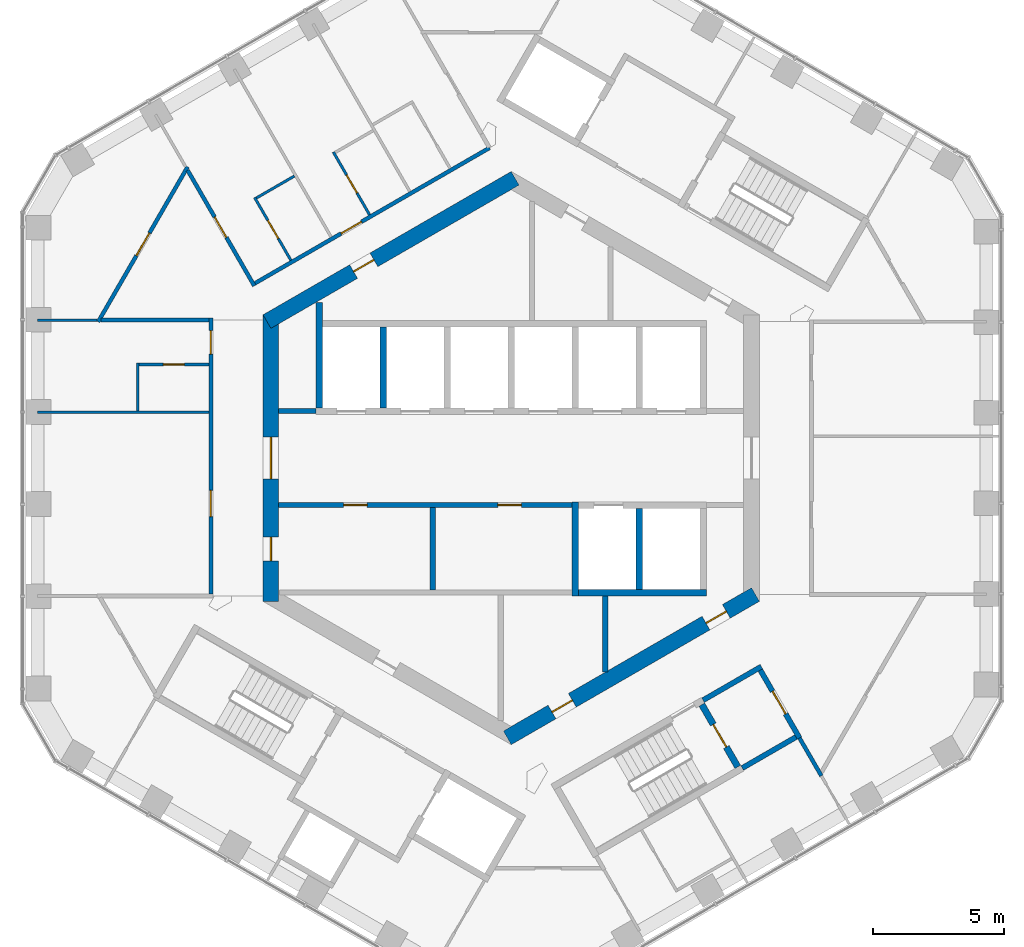
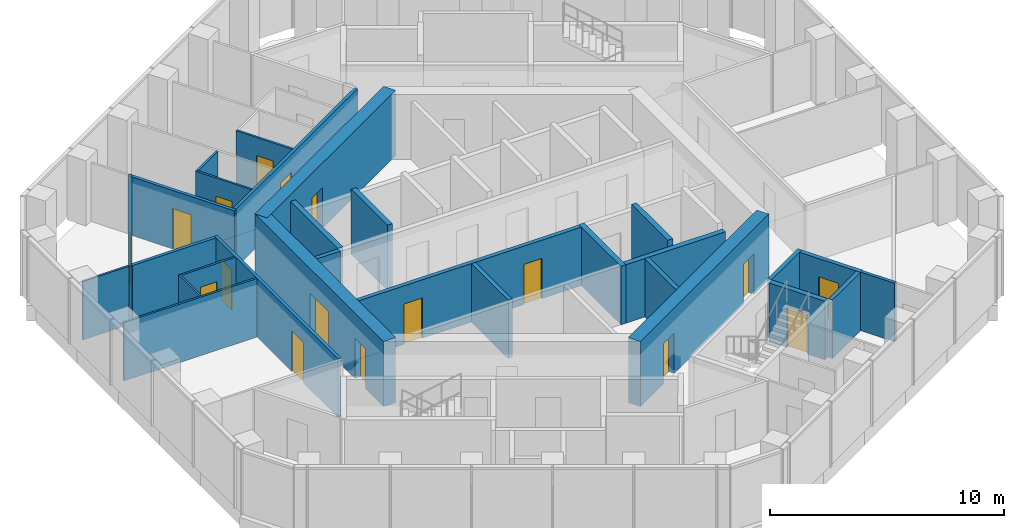
# One storey, part 15 of 19: 29 walls, 17 doors, 17 openings.
"""IFC4 building model written with IfcOpenShell, lengths in metres."""

from ifc_helpers import new_model, si_unit, direction, frame, frame_2d, origin, place, context, subcontext, project, spatial, rectangle, extrude, material, layer, layer_set, type_object, element, fill, save


model = new_model("IFC4")

# Units and contexts
model_context = context("Model", 3, precision=1e-05, world=origin(), true_north=direction((0.0, 1.0)))
body_context = subcontext(model_context, "Body", "Model", "MODEL_VIEW")
ifc_project = project(units=[si_unit("LENGTHUNIT", "METRE"), si_unit("AREAUNIT", "SQUARE_METRE"), si_unit("VOLUMEUNIT", "CUBIC_METRE"), si_unit("PLANEANGLEUNIT", "RADIAN"), si_unit("MASSUNIT", "GRAM", prefix="KILO")], contexts=[model_context])

# Site, building, storey
site_placement = place(None, origin())
site = spatial("IfcSite", under=ifc_project, at=site_placement, CompositionType="ELEMENT")
building_placement = place(site_placement, origin())
building = spatial("IfcBuilding", under=site, at=building_placement, Name="Ayvan Gate Tower", CompositionType="ELEMENT")
storey_placement = place(building_placement, frame((0.0, 0.0, 156.10009765625)))
storey = spatial("IfcBuildingStorey", under=building, at=storey_placement, Name="L41", CompositionType="ELEMENT", Elevation=156.10009765625)

# Wall, opening, door
ifc_material_1 = material(Name="Concrete C60/75", Category="concrete")
ifc_layer_1 = layer(ifc_material_1, 0.60009765625)
ifc_layer_set_1 = layer_set([ifc_layer_1], Name="Concrete C60/75")
wall_type_1 = type_object("IfcWallType", Name="Core wall 600 C60/75", PredefinedType="SHEAR", material=ifc_layer_set_1)
wall_1_placement = place(storey_placement, frame((0.14990234375, 10.7099609375, 0.0), z_axis=(0.0, 0.0, 1.0), x_axis=(-0.866023993627, -0.500002442456, 0.0)))
wall_1 = element("IfcWall", 1, at=wall_1_placement, inside=storey, type_object=wall_type_1, Name="CORE-L41-2", PredefinedType="SHEAR", context=body_context, shape_type="SweptSolid", body=[
    extrude(rectangle(XDim=10.9697265625, YDim=0.60009765625, at=frame_2d((5.48486328125, 0.0))), origin(), (0.0, 0.0, 1.0), 3.39990234375),
])
opening_1_placement = place(wall_1_placement, frame((6.24267578125, 0.0, 0.0)))
opening_1 = element("IfcOpeningElement", 2, at=opening_1_placement, cuts=wall_1, Name="Opening L41-D45", PredefinedType="OPENING", context=body_context, shape_type="SweptSolid", body=[
    extrude(rectangle(XDim=0.89990234375, YDim=2.10009765625, at=frame_2d((0.449951171875, 1.050048828125))), frame((0.0, 0.31005859375, 0.0), z_axis=(0.0, -1.0, 0.0), x_axis=(1.0, 0.0, 0.0)), (0.0, 0.0, 1.0), 0.6201171875),
])
ifc_material_2 = material(Name="Timber door leaf", Category="wood")
door_type_1 = type_object("IfcDoorType", Name="DT-900", OperationType="NOTDEFINED", PredefinedType="DOOR", material=ifc_material_2)
door_1_placement = place(opening_1_placement, origin())
door_1 = element("IfcDoor", 3, at=door_1_placement, inside=storey, type_object=door_type_1, Name="CD-L41-45", OperationType="SINGLE_SWING_RIGHT", OverallHeight=2.10009765625, OverallWidth=0.89990234375, PredefinedType="DOOR", context=body_context, shape_type="SweptSolid", body=[
    extrude(rectangle(XDim=0.89990234375, YDim=2.10009765625, at=frame_2d((0.449951171875, 1.050048828125))), frame((0.0, 0.02490234375, 0.0), z_axis=(0.0, -1.0, 0.0), x_axis=(1.0, 0.0, 0.0)), (0.0, 0.0, 1.0), 0.050048828125),
])
fill(opening_1, door_1)

# Wall, openings, doors
wall_2_placement = place(storey_placement, frame((-9.199951171875, 5.48486328125, 0.0), z_axis=(0.0, 0.0, 1.0), x_axis=(0.0, -1.0, 0.0)))
wall_2 = element("IfcWall", 4, at=wall_2_placement, inside=storey, type_object=wall_type_1, Name="CORE-L41-3", PredefinedType="SHEAR", context=body_context, shape_type="SweptSolid", body=[
    extrude(rectangle(XDim=10.9697265625, YDim=0.60009765625, at=frame_2d((5.48486328125, 0.0))), origin(), (0.0, 0.0, 1.0), 3.39990234375),
])
opening_2_placement = place(wall_2_placement, frame((8.51611328125, 0.0, 0.0)))
opening_2 = element("IfcOpeningElement", 5, at=opening_2_placement, cuts=wall_2, Name="Opening L41-D51", PredefinedType="OPENING", context=body_context, shape_type="SweptSolid", body=[
    extrude(rectangle(XDim=0.89990234375, YDim=2.10009765625, at=frame_2d((0.449951171875, 1.050048828125))), frame((0.0, 0.31005859375, 0.0), z_axis=(0.0, -1.0, 0.0), x_axis=(1.0, 0.0, 0.0)), (0.0, 0.0, 1.0), 0.6201171875),
])
opening_3_placement = place(wall_2_placement, frame((4.684814453125, 0.0, 0.0)))
opening_3 = element("IfcOpeningElement", 6, at=opening_3_placement, cuts=wall_2, Name="Opening L41-D53", PredefinedType="OPENING", context=body_context, shape_type="SweptSolid", body=[
    extrude(rectangle(XDim=1.60009765625, YDim=2.10009765625, at=frame_2d((0.800048828125, 1.050048828125))), frame((0.0, 0.31005859375, 0.0), z_axis=(0.0, -1.0, 0.0), x_axis=(1.0, 0.0, 0.0)), (0.0, 0.0, 1.0), 0.6201171875),
])
door_type_2 = type_object("IfcDoorType", Name="DT-1600", OperationType="NOTDEFINED", PredefinedType="DOOR", material=ifc_material_2)
door_2_placement = place(opening_3_placement, origin())
door_2 = element("IfcDoor", 7, at=door_2_placement, inside=storey, type_object=door_type_2, Name="CD-L41-53", OperationType="SINGLE_SWING_RIGHT", OverallHeight=2.10009765625, OverallWidth=1.60009765625, PredefinedType="DOOR", context=body_context, shape_type="SweptSolid", body=[
    extrude(rectangle(XDim=1.60009765625, YDim=2.10009765625, at=frame_2d((0.800048828125, 1.050048828125))), frame((0.0, 0.02490234375, 0.0), z_axis=(0.0, -1.0, 0.0), x_axis=(1.0, 0.0, 0.0)), (0.0, 0.0, 1.0), 0.050048828125),
])
fill(opening_3, door_2)
door_3_placement = place(opening_2_placement, origin())
door_3 = element("IfcDoor", 8, at=door_3_placement, inside=storey, type_object=door_type_1, Name="CD-L41-51", OperationType="SINGLE_SWING_RIGHT", OverallHeight=2.10009765625, OverallWidth=0.89990234375, PredefinedType="DOOR", context=body_context, shape_type="SweptSolid", body=[
    extrude(rectangle(XDim=0.89990234375, YDim=2.10009765625, at=frame_2d((0.449951171875, 1.050048828125))), frame((0.0, 0.02490234375, 0.0), z_axis=(0.0, -1.0, 0.0), x_axis=(1.0, 0.0, 0.0)), (0.0, 0.0, 1.0), 0.050048828125),
])
fill(opening_2, door_3)

wall_3_placement = place(storey_placement, frame((-0.14990234375, -10.7099609375, 0.0), z_axis=(0.0, 0.0, 1.0), x_axis=(0.866023993627, 0.500002442456, 0.0)))
wall_3 = element("IfcWall", 9, at=wall_3_placement, inside=storey, type_object=wall_type_1, Name="CORE-L41-5", PredefinedType="SHEAR", context=body_context, shape_type="SweptSolid", body=[
    extrude(rectangle(XDim=10.9697265625, YDim=0.60009765625, at=frame_2d((5.48486328125, 0.0))), origin(), (0.0, 0.0, 1.0), 3.39990234375),
])
opening_4_placement = place(wall_3_placement, frame((1.975341796875, 0.0, 0.0)))
opening_4 = element("IfcOpeningElement", 10, at=opening_4_placement, cuts=wall_3, Name="Opening L41-D49", PredefinedType="OPENING", context=body_context, shape_type="SweptSolid", body=[
    extrude(rectangle(XDim=0.89990234375, YDim=2.10009765625, at=frame_2d((0.449951171875, 1.050048828125))), frame((0.0, 0.31005859375, 0.0), z_axis=(0.0, -1.0, 0.0), x_axis=(1.0, 0.0, 0.0)), (0.0, 0.0, 1.0), 0.6201171875),
])
opening_5_placement = place(wall_3_placement, frame((8.782470703125, 0.0, 0.0)))
opening_5 = element("IfcOpeningElement", 11, at=opening_5_placement, cuts=wall_3, Name="Opening L41-D50", PredefinedType="OPENING", context=body_context, shape_type="SweptSolid", body=[
    extrude(rectangle(XDim=0.89990234375, YDim=2.10009765625, at=frame_2d((0.449951171875, 1.050048828125))), frame((0.0, 0.31005859375, 0.0), z_axis=(0.0, -1.0, 0.0), x_axis=(1.0, 0.0, 0.0)), (0.0, 0.0, 1.0), 0.6201171875),
])
door_4_placement = place(opening_4_placement, origin())
door_4 = element("IfcDoor", 12, at=door_4_placement, inside=storey, type_object=door_type_1, Name="CD-L41-49", OperationType="SINGLE_SWING_RIGHT", OverallHeight=2.10009765625, OverallWidth=0.89990234375, PredefinedType="DOOR", context=body_context, shape_type="SweptSolid", body=[
    extrude(rectangle(XDim=0.89990234375, YDim=2.10009765625, at=frame_2d((0.449951171875, 1.050048828125))), frame((0.0, 0.02490234375, 0.0), z_axis=(0.0, -1.0, 0.0), x_axis=(1.0, 0.0, 0.0)), (0.0, 0.0, 1.0), 0.050048828125),
])
fill(opening_4, door_4)
door_5_placement = place(opening_5_placement, origin())
door_5 = element("IfcDoor", 13, at=door_5_placement, inside=storey, type_object=door_type_1, Name="CD-L41-50", OperationType="SINGLE_SWING_LEFT", OverallHeight=2.10009765625, OverallWidth=0.89990234375, PredefinedType="DOOR", context=body_context, shape_type="SweptSolid", body=[
    extrude(rectangle(XDim=0.89990234375, YDim=2.10009765625, at=frame_2d((0.449951171875, 1.050048828125))), frame((0.0, 0.02490234375, 0.0), z_axis=(0.0, -1.0, 0.0), x_axis=(1.0, 0.0, 0.0)), (0.0, 0.0, 1.0), 0.050048828125),
])
fill(opening_5, door_5)

# Wall, opening, door
ifc_material_3 = material(Name="Plasterboard on steel stud", Category="steel")
ifc_layer_2 = layer(ifc_material_3, 0.14990234375)
ifc_layer_set_2 = layer_set([ifc_layer_2], Name="Plasterboard on steel stud")
wall_type_2 = type_object("IfcWallType", Name="WT-CORR-150", PredefinedType="PARTITIONING", material=ifc_layer_set_2)
wall_4_placement = place(storey_placement, frame((-15.811767578125, 5.21630859375, 0.0), z_axis=(0.0, 0.0, 1.0), x_axis=(0.50000019414, 0.866025291697, 0.0)))
wall_4 = element("IfcWall", 14, at=wall_4_placement, inside=storey, type_object=wall_type_2, Name="IW-L41-002", PredefinedType="PARTITIONING", context=body_context, shape_type="SweptSolid", body=[
    extrude(rectangle(XDim=6.84814453125, YDim=0.14990234375, at=frame_2d((3.424072265625, 0.0))), origin(), (0.0, 0.0, 1.0), 3.0498046875),
])
opening_6_placement = place(wall_4_placement, frame((2.924072265625, 0.0, 0.0)))
opening_6 = element("IfcOpeningElement", 15, at=opening_6_placement, cuts=wall_4, Name="Opening L41-D27", PredefinedType="OPENING", context=body_context, shape_type="SweptSolid", body=[
    extrude(rectangle(XDim=1.0, YDim=2.10009765625, at=frame_2d((0.5, 1.050048828125))), frame((0.0, 0.0849609375, 0.0), z_axis=(0.0, -1.0, 0.0), x_axis=(1.0, 0.0, 0.0)), (0.0, 0.0, 1.0), 0.169921875),
])
door_type_3 = type_object("IfcDoorType", Name="DT-1000", OperationType="NOTDEFINED", PredefinedType="DOOR", material=ifc_material_2)
door_6_placement = place(opening_6_placement, origin())
door_6 = element("IfcDoor", 16, at=door_6_placement, inside=storey, type_object=door_type_3, Name="ID-L41-027", OperationType="SINGLE_SWING_RIGHT", OverallHeight=2.10009765625, OverallWidth=1.0, PredefinedType="DOOR", context=body_context, shape_type="SweptSolid", body=[
    extrude(rectangle(XDim=1.0, YDim=2.10009765625, at=frame_2d((0.5, 1.050048828125))), frame((0.0, 0.02490234375, 0.0), z_axis=(0.0, -1.0, 0.0), x_axis=(1.0, 0.0, 0.0)), (0.0, 0.0, 1.0), 0.050048828125),
])
fill(opening_6, door_6)

wall_5_placement = place(storey_placement, frame((-12.3876953125, 11.01708984375, 0.0), z_axis=(0.0, 0.0, 1.0), x_axis=(0.499962338254, -0.866047146712, 0.0)))
wall_5 = element("IfcWall", 17, at=wall_5_placement, inside=storey, type_object=wall_type_2, Name="IW-L41-010", PredefinedType="PARTITIONING", context=body_context, shape_type="SweptSolid", body=[
    extrude(rectangle(XDim=5.10986328125, YDim=0.14990234375, at=frame_2d((2.554931640625, 0.0))), origin(), (0.0, 0.0, 1.0), 3.0498046875),
])
opening_7_placement = place(wall_5_placement, frame((2.0673828125, 0.0, 0.0)))
opening_7 = element("IfcOpeningElement", 18, at=opening_7_placement, cuts=wall_5, Name="Opening L41-D43", PredefinedType="OPENING", context=body_context, shape_type="SweptSolid", body=[
    extrude(rectangle(XDim=0.89990234375, YDim=2.10009765625, at=frame_2d((0.449951171875, 1.050048828125))), frame((0.0, 0.0849609375, 0.0), z_axis=(0.0, -1.0, 0.0), x_axis=(1.0, 0.0, 0.0)), (0.0, 0.0, 1.0), 0.169921875),
])
door_7_placement = place(opening_7_placement, origin())
door_7 = element("IfcDoor", 19, at=door_7_placement, inside=storey, type_object=door_type_1, Name="ID-L41-043", OperationType="SINGLE_SWING_RIGHT", OverallHeight=2.10009765625, OverallWidth=0.89990234375, PredefinedType="DOOR", context=body_context, shape_type="SweptSolid", body=[
    extrude(rectangle(XDim=0.89990234375, YDim=2.10009765625, at=frame_2d((0.449951171875, 1.050048828125))), frame((0.0, 0.02490234375, 0.0), z_axis=(0.0, -1.0, 0.0), x_axis=(1.0, 0.0, 0.0)), (0.0, 0.0, 1.0), 0.050048828125),
])
fill(opening_7, door_7)

# Wall, openings, doors
wall_6_placement = place(storey_placement, frame((-11.5, -5.206298828125, 0.0), z_axis=(0.0, 0.0, 1.0), x_axis=(0.0, 1.0, 0.0)))
wall_6 = element("IfcWall", 20, at=wall_6_placement, inside=storey, type_object=wall_type_2, Name="IW-L41-012", PredefinedType="PARTITIONING", context=body_context, shape_type="SweptSolid", body=[
    extrude(rectangle(XDim=10.5625, YDim=0.14990234375, at=frame_2d((5.28125, 0.0))), origin(), (0.0, 0.0, 1.0), 3.0498046875),
])
opening_8_placement = place(wall_6_placement, frame((9.187744140625, 0.0, 0.0)))
opening_8 = element("IfcOpeningElement", 21, at=opening_8_placement, cuts=wall_6, Name="Opening L41-D28", PredefinedType="OPENING", context=body_context, shape_type="SweptSolid", body=[
    extrude(rectangle(XDim=0.89990234375, YDim=2.10009765625, at=frame_2d((0.449951171875, 1.050048828125))), frame((0.0, 0.0849609375, 0.0), z_axis=(0.0, -1.0, 0.0), x_axis=(1.0, 0.0, 0.0)), (0.0, 0.0, 1.0), 0.169921875),
])
opening_9_placement = place(wall_6_placement, frame((2.968505859375, 0.0, 0.0)))
opening_9 = element("IfcOpeningElement", 22, at=opening_9_placement, cuts=wall_6, Name="Opening L41-D30", PredefinedType="OPENING", context=body_context, shape_type="SweptSolid", body=[
    extrude(rectangle(XDim=1.0, YDim=2.10009765625, at=frame_2d((0.5, 1.050048828125))), frame((0.0, 0.0849609375, 0.0), z_axis=(0.0, -1.0, 0.0), x_axis=(1.0, 0.0, 0.0)), (0.0, 0.0, 1.0), 0.169921875),
])
door_8_placement = place(opening_9_placement, origin())
door_8 = element("IfcDoor", 23, at=door_8_placement, inside=storey, type_object=door_type_3, Name="ID-L41-030", OperationType="SINGLE_SWING_LEFT", OverallHeight=2.10009765625, OverallWidth=1.0, PredefinedType="DOOR", context=body_context, shape_type="SweptSolid", body=[
    extrude(rectangle(XDim=1.0, YDim=2.10009765625, at=frame_2d((0.5, 1.050048828125))), frame((0.0, 0.02490234375, 0.0), z_axis=(0.0, -1.0, 0.0), x_axis=(1.0, 0.0, 0.0)), (0.0, 0.0, 1.0), 0.050048828125),
])
fill(opening_9, door_8)
door_9_placement = place(opening_8_placement, origin())
door_9 = element("IfcDoor", 24, at=door_9_placement, inside=storey, type_object=door_type_1, Name="ID-L41-028", OperationType="SINGLE_SWING_LEFT", OverallHeight=2.10009765625, OverallWidth=0.89990234375, PredefinedType="DOOR", context=body_context, shape_type="SweptSolid", body=[
    extrude(rectangle(XDim=0.89990234375, YDim=2.10009765625, at=frame_2d((0.449951171875, 1.050048828125))), frame((0.0, 0.02490234375, 0.0), z_axis=(0.0, -1.0, 0.0), x_axis=(1.0, 0.0, 0.0)), (0.0, 0.0, 1.0), 0.050048828125),
])
fill(opening_8, door_9)

# Wall
wall_7_placement = place(storey_placement, frame((-11.574951171875, 5.28125, 0.0), z_axis=(0.0, 0.0, 1.0), x_axis=(-1.0, 0.0, 0.0)))
element("IfcWall", 25, at=wall_7_placement, inside=storey, type_object=wall_type_2, Name="IW-L41-014", PredefinedType="PARTITIONING", context=body_context, shape_type="SweptSolid", body=[
    extrude(rectangle(XDim=4.124267578125, YDim=0.14990234375, at=frame_2d((2.06201171875, 0.0))), origin(), (0.0, 0.0, 1.0), 3.0498046875),
])

# Wall, opening, door
wall_8_placement = place(storey_placement, frame((-9.805419921875, 6.694091796875, 0.0), z_axis=(0.0, 0.0, 1.0), x_axis=(0.866028286753, 0.499995006518, 0.0)))
wall_8 = element("IfcWall", 26, at=wall_8_placement, inside=storey, type_object=wall_type_2, Name="IW-L41-015", PredefinedType="PARTITIONING", context=body_context, shape_type="SweptSolid", body=[
    extrude(rectangle(XDim=10.3642578125, YDim=0.14990234375, at=frame_2d((5.18212890625, 0.0))), origin(), (0.0, 0.0, 1.0), 3.0498046875),
])
opening_10_placement = place(wall_8_placement, frame((3.8046875, 0.0, 0.0)))
opening_10 = element("IfcOpeningElement", 27, at=opening_10_placement, cuts=wall_8, Name="Opening L41-D41", PredefinedType="OPENING", context=body_context, shape_type="SweptSolid", body=[
    extrude(rectangle(XDim=0.89990234375, YDim=2.10009765625, at=frame_2d((0.449951171875, 1.050048828125))), frame((0.0, 0.0849609375, 0.0), z_axis=(0.0, -1.0, 0.0), x_axis=(1.0, 0.0, 0.0)), (0.0, 0.0, 1.0), 0.169921875),
])
door_10_placement = place(opening_10_placement, origin())
door_10 = element("IfcDoor", 28, at=door_10_placement, inside=storey, type_object=door_type_1, Name="ID-L41-041", OperationType="SINGLE_SWING_RIGHT", OverallHeight=2.10009765625, OverallWidth=0.89990234375, PredefinedType="DOOR", context=body_context, shape_type="SweptSolid", body=[
    extrude(rectangle(XDim=0.89990234375, YDim=2.10009765625, at=frame_2d((0.449951171875, 1.050048828125))), frame((0.0, 0.02490234375, 0.0), z_axis=(0.0, -1.0, 0.0), x_axis=(1.0, 0.0, 0.0)), (0.0, 0.0, 1.0), 0.050048828125),
])
fill(opening_10, door_10)

# Walls
wall_9_placement = place(storey_placement, frame((11.8740234375, -12.16650390625, 0.0), z_axis=(0.0, 0.0, 1.0), x_axis=(-0.499920289095, 0.866071420006, 0.0)))
element("IfcWall", 29, at=wall_9_placement, inside=storey, type_object=wall_type_2, Name="IW-L41-096", PredefinedType="PARTITIONING", context=body_context, shape_type="SweptSolid", body=[
    extrude(rectangle(XDim=1.673583984375, YDim=0.14990234375, at=frame_2d((0.8369140625, 0.0))), origin(), (0.0, 0.0, 1.0), 3.0498046875),
])
ifc_layer_3 = layer(ifc_material_3, 0.10009765625)
ifc_layer_set_3 = layer_set([ifc_layer_3], Name="Plasterboard on steel stud")
wall_type_3 = type_object("IfcWallType", Name="WT-PART-100", PredefinedType="PARTITIONING", material=ifc_layer_set_3)
wall_10_placement = place(storey_placement, frame((-15.849365234375, 5.28125, 0.0), z_axis=(0.0, 0.0, 1.0), x_axis=(-1.0, 0.0, 0.0)))
element("IfcWall", 30, at=wall_10_placement, inside=storey, type_object=wall_type_3, Name="IW-L41-001", PredefinedType="PARTITIONING", context=body_context, shape_type="SweptSolid", body=[
    extrude(rectangle(XDim=2.27783203125, YDim=0.10009765625, at=frame_2d((1.138916015625, 0.0))), origin(), (0.0, 0.0, 1.0), 3.0498046875),
])
wall_11_placement = place(storey_placement, frame((-18.127197265625, 1.760498046875, 0.0), z_axis=(0.0, 0.0, 1.0), x_axis=(1.0, 0.0, 0.0)))
element("IfcWall", 31, at=wall_11_placement, inside=storey, type_object=wall_type_3, Name="IW-L41-004", PredefinedType="PARTITIONING", context=body_context, shape_type="SweptSolid", body=[
    extrude(rectangle(XDim=6.55224609375, YDim=0.10009765625, at=frame_2d((3.276123046875, 0.0))), origin(), (0.0, 0.0, 1.0), 3.0498046875),
])
wall_12_placement = place(storey_placement, frame((-14.300048828125, 3.63134765625, 0.0), z_axis=(0.0, 0.0, 1.0), x_axis=(0.0, -1.0, 0.0)))
element("IfcWall", 32, at=wall_12_placement, inside=storey, type_object=wall_type_3, Name="IW-L41-005", PredefinedType="PARTITIONING", context=body_context, shape_type="SweptSolid", body=[
    extrude(rectangle(XDim=1.821044921875, YDim=0.10009765625, at=frame_2d((0.91064453125, 0.0))), origin(), (0.0, 0.0, 1.0), 3.0498046875),
])

# Wall, opening, door
wall_13_placement = place(storey_placement, frame((-11.574951171875, 3.581298828125, 0.0), z_axis=(0.0, 0.0, 1.0), x_axis=(-1.0, 0.0, 0.0)))
wall_13 = element("IfcWall", 33, at=wall_13_placement, inside=storey, type_object=wall_type_3, Name="IW-L41-013", PredefinedType="PARTITIONING", context=body_context, shape_type="SweptSolid", body=[
    extrude(rectangle(XDim=2.675048828125, YDim=0.10009765625, at=frame_2d((1.33740234375, 0.0))), origin(), (0.0, 0.0, 1.0), 3.0498046875),
])
opening_11_placement = place(wall_13_placement, frame((0.9375, 0.0, 0.0)))
opening_11 = element("IfcOpeningElement", 34, at=opening_11_placement, cuts=wall_13, Name="Opening L41-D29", PredefinedType="OPENING", context=body_context, shape_type="SweptSolid", body=[
    extrude(rectangle(XDim=0.800048828125, YDim=2.10009765625, at=frame_2d((0.39990234375, 1.050048828125))), frame((0.0, 0.06005859375, 0.0), z_axis=(0.0, -1.0, 0.0), x_axis=(1.0, 0.0, 0.0)), (0.0, 0.0, 1.0), 0.1201171875),
])
door_type_4 = type_object("IfcDoorType", Name="DT-800", OperationType="NOTDEFINED", PredefinedType="DOOR", material=ifc_material_2)
door_11_placement = place(opening_11_placement, origin())
door_11 = element("IfcDoor", 35, at=door_11_placement, inside=storey, type_object=door_type_4, Name="ID-L41-029", OperationType="SINGLE_SWING_RIGHT", OverallHeight=2.10009765625, OverallWidth=0.800048828125, PredefinedType="DOOR", context=body_context, shape_type="SweptSolid", body=[
    extrude(rectangle(XDim=0.800048828125, YDim=2.10009765625, at=frame_2d((0.39990234375, 1.050048828125))), frame((0.0, 0.02490234375, 0.0), z_axis=(0.0, -1.0, 0.0), x_axis=(1.0, 0.0, 0.0)), (0.0, 0.0, 1.0), 0.050048828125),
])
fill(opening_11, door_11)

wall_14_placement = place(storey_placement, frame((-9.822998046875, 9.974853515625, 0.0), z_axis=(0.0, 0.0, 1.0), x_axis=(0.499971228071, -0.866042014628, 0.0)))
wall_14 = element("IfcWall", 36, at=wall_14_placement, inside=storey, type_object=wall_type_3, Name="IW-L41-016", PredefinedType="PARTITIONING", context=body_context, shape_type="SweptSolid", body=[
    extrude(rectangle(XDim=2.775146484375, YDim=0.10009765625, at=frame_2d((1.3876953125, 0.0))), origin(), (0.0, 0.0, 1.0), 3.0498046875),
])
opening_12_placement = place(wall_14_placement, frame((1.012451171875, 0.0, 0.0)))
opening_12 = element("IfcOpeningElement", 37, at=opening_12_placement, cuts=wall_14, Name="Opening L41-D44", PredefinedType="OPENING", context=body_context, shape_type="SweptSolid", body=[
    extrude(rectangle(XDim=0.800048828125, YDim=2.10009765625, at=frame_2d((0.39990234375, 1.050048828125))), frame((0.0, 0.06005859375, 0.0), z_axis=(0.0, -1.0, 0.0), x_axis=(1.0, 0.0, 0.0)), (0.0, 0.0, 1.0), 0.1201171875),
])
door_12_placement = place(opening_12_placement, origin())
door_12 = element("IfcDoor", 38, at=door_12_placement, inside=storey, type_object=door_type_4, Name="ID-L41-044", OperationType="SINGLE_SWING_LEFT", OverallHeight=2.10009765625, OverallWidth=0.800048828125, PredefinedType="DOOR", context=body_context, shape_type="SweptSolid", body=[
    extrude(rectangle(XDim=0.800048828125, YDim=2.10009765625, at=frame_2d((0.39990234375, 1.050048828125))), frame((0.0, 0.02490234375, 0.0), z_axis=(0.0, -1.0, 0.0), x_axis=(1.0, 0.0, 0.0)), (0.0, 0.0, 1.0), 0.050048828125),
])
fill(opening_12, door_12)

# Wall
wall_15_placement = place(storey_placement, frame((-8.300048828125, 10.79638671875, 0.0), z_axis=(0.0, 0.0, 1.0), x_axis=(-0.866052479261, -0.499953100966, 0.0)))
element("IfcWall", 39, at=wall_15_placement, inside=storey, type_object=wall_type_3, Name="IW-L41-021", PredefinedType="PARTITIONING", context=body_context, shape_type="SweptSolid", body=[
    extrude(rectangle(XDim=1.679931640625, YDim=0.10009765625, at=frame_2d((0.83984375, 0.0))), origin(), (0.0, 0.0, 1.0), 3.0498046875),
])

# Wall, opening, door
wall_16_placement = place(storey_placement, frame((-6.8095703125, 11.714599609375, 0.0), z_axis=(0.0, 0.0, 1.0), x_axis=(0.50000932403, -0.866020020486, 0.0)))
wall_16 = element("IfcWall", 40, at=wall_16_placement, inside=storey, type_object=wall_type_3, Name="IW-L41-030", PredefinedType="PARTITIONING", context=body_context, shape_type="SweptSolid", body=[
    extrude(rectangle(XDim=2.77490234375, YDim=0.10009765625, at=frame_2d((1.387451171875, 0.0))), origin(), (0.0, 0.0, 1.0), 3.0498046875),
])
opening_13_placement = place(wall_16_placement, frame((1.012451171875, 0.0, 0.0)))
opening_13 = element("IfcOpeningElement", 41, at=opening_13_placement, cuts=wall_16, Name="Opening L41-D42", PredefinedType="OPENING", context=body_context, shape_type="SweptSolid", body=[
    extrude(rectangle(XDim=0.800048828125, YDim=2.10009765625, at=frame_2d((0.39990234375, 1.050048828125))), frame((0.0, 0.06005859375, 0.0), z_axis=(0.0, -1.0, 0.0), x_axis=(1.0, 0.0, 0.0)), (0.0, 0.0, 1.0), 0.1201171875),
])
door_13_placement = place(opening_13_placement, origin())
door_13 = element("IfcDoor", 42, at=door_13_placement, inside=storey, type_object=door_type_4, Name="ID-L41-042", OperationType="SINGLE_SWING_LEFT", OverallHeight=2.10009765625, OverallWidth=0.800048828125, PredefinedType="DOOR", context=body_context, shape_type="SweptSolid", body=[
    extrude(rectangle(XDim=0.800048828125, YDim=2.10009765625, at=frame_2d((0.39990234375, 1.050048828125))), frame((0.0, 0.02490234375, 0.0), z_axis=(0.0, -1.0, 0.0), x_axis=(1.0, 0.0, 0.0)), (0.0, 0.0, 1.0), 0.050048828125),
])
fill(opening_13, door_13)

# Walls
ifc_layer_4 = layer(ifc_material_3, 0.199951171875)
ifc_layer_set_4 = layer_set([ifc_layer_4], Name="Plasterboard on steel stud")
wall_type_4 = type_object("IfcWallType", Name="WT-RATED-200", PredefinedType="PARTITIONING", material=ifc_layer_set_4)
wall_17_placement = place(storey_placement, frame((-8.89990234375, 1.800048828125, 0.0), z_axis=(0.0, 0.0, 1.0), x_axis=(1.0, 0.0, 0.0)))
element("IfcWall", 43, at=wall_17_placement, inside=storey, type_object=wall_type_4, Name="IW-L41-017", PredefinedType="PARTITIONING", context=body_context, shape_type="SweptSolid", body=[
    extrude(rectangle(XDim=1.425048828125, YDim=0.199951171875, at=frame_2d((0.71240234375, 0.0))), origin(), (0.0, 0.0, 1.0), 3.0498046875),
])
wall_18_placement = place(storey_placement, frame((-3.0, -1.89990234375, 0.0), z_axis=(0.0, 0.0, 1.0), x_axis=(0.0, -1.0, 0.0)))
element("IfcWall", 44, at=wall_18_placement, inside=storey, type_object=wall_type_4, Name="IW-L41-041", PredefinedType="PARTITIONING", context=body_context, shape_type="SweptSolid", body=[
    extrude(rectangle(XDim=3.150146484375, YDim=0.199951171875, at=frame_2d((1.5751953125, 0.0))), origin(), (0.0, 0.0, 1.0), 3.0498046875),
])

# Wall, openings, doors
wall_19_placement = place(storey_placement, frame((-8.89990234375, -1.800048828125, 0.0), z_axis=(0.0, 0.0, 1.0), x_axis=(1.0, 0.0, 0.0)))
wall_19 = element("IfcWall", 45, at=wall_19_placement, inside=storey, type_object=wall_type_4, Name="IW-L41-042", PredefinedType="PARTITIONING", context=body_context, shape_type="SweptSolid", body=[
    extrude(rectangle(XDim=11.22509765625, YDim=0.199951171875, at=frame_2d((5.612548828125, 0.0))), origin(), (0.0, 0.0, 1.0), 3.0498046875),
])
opening_14_placement = place(wall_19_placement, frame((2.485107421875, 0.0, 0.0)))
opening_14 = element("IfcOpeningElement", 46, at=opening_14_placement, cuts=wall_19, Name="Opening L41-D08", PredefinedType="OPENING", context=body_context, shape_type="SweptSolid", body=[
    extrude(rectangle(XDim=0.89990234375, YDim=2.10009765625, at=frame_2d((0.449951171875, 1.050048828125))), frame((0.0, 0.10986328125, 0.0), z_axis=(0.0, -1.0, 0.0), x_axis=(1.0, 0.0, 0.0)), (0.0, 0.0, 1.0), 0.219970703125),
])
opening_15_placement = place(wall_19_placement, frame((8.387451171875, 0.0, 0.0)))
opening_15 = element("IfcOpeningElement", 47, at=opening_15_placement, cuts=wall_19, Name="Opening L41-D09", PredefinedType="OPENING", context=body_context, shape_type="SweptSolid", body=[
    extrude(rectangle(XDim=0.89990234375, YDim=2.10009765625, at=frame_2d((0.449951171875, 1.050048828125))), frame((0.0, 0.10986328125, 0.0), z_axis=(0.0, -1.0, 0.0), x_axis=(1.0, 0.0, 0.0)), (0.0, 0.0, 1.0), 0.219970703125),
])
door_14_placement = place(opening_14_placement, origin())
door_14 = element("IfcDoor", 48, at=door_14_placement, inside=storey, type_object=door_type_1, Name="ID-L41-008", OperationType="SINGLE_SWING_LEFT", OverallHeight=2.10009765625, OverallWidth=0.89990234375, PredefinedType="DOOR", context=body_context, shape_type="SweptSolid", body=[
    extrude(rectangle(XDim=0.89990234375, YDim=2.10009765625, at=frame_2d((0.449951171875, 1.050048828125))), frame((0.0, 0.02490234375, 0.0), z_axis=(0.0, -1.0, 0.0), x_axis=(1.0, 0.0, 0.0)), (0.0, 0.0, 1.0), 0.050048828125),
])
fill(opening_14, door_14)
door_15_placement = place(opening_15_placement, origin())
door_15 = element("IfcDoor", 49, at=door_15_placement, inside=storey, type_object=door_type_1, Name="ID-L41-009", OperationType="SINGLE_SWING_RIGHT", OverallHeight=2.10009765625, OverallWidth=0.89990234375, PredefinedType="DOOR", context=body_context, shape_type="SweptSolid", body=[
    extrude(rectangle(XDim=0.89990234375, YDim=2.10009765625, at=frame_2d((0.449951171875, 1.050048828125))), frame((0.0, 0.02490234375, 0.0), z_axis=(0.0, -1.0, 0.0), x_axis=(1.0, 0.0, 0.0)), (0.0, 0.0, 1.0), 0.050048828125),
])
fill(opening_15, door_15)

# Walls
wall_20_placement = place(storey_placement, frame((3.60009765625, -5.27490234375, 0.0), z_axis=(0.0, 0.0, 1.0), x_axis=(0.0, -1.0, 0.0)))
element("IfcWall", 50, at=wall_20_placement, inside=storey, type_object=wall_type_4, Name="IW-L41-068", PredefinedType="PARTITIONING", context=body_context, shape_type="SweptSolid", body=[
    extrude(rectangle(XDim=2.923583984375, YDim=0.199951171875, at=frame_2d((1.4619140625, 0.0))), origin(), (0.0, 0.0, 1.0), 3.0498046875),
])
wall_21_placement = place(storey_placement, frame((7.343994140625, -9.27001953125, 0.0), z_axis=(0.0, 0.0, 1.0), x_axis=(0.866005588531, 0.500034319456, 0.0)))
element("IfcWall", 51, at=wall_21_placement, inside=storey, type_object=wall_type_4, Name="IW-L41-083", PredefinedType="PARTITIONING", context=body_context, shape_type="SweptSolid", body=[
    extrude(rectangle(XDim=2.574951171875, YDim=0.199951171875, at=frame_2d((1.28759765625, 0.0))), origin(), (0.0, 0.0, 1.0), 3.0498046875),
])

# Wall, opening, door
wall_22_placement = place(storey_placement, frame((9.537353515625, -8.119140625, 0.0), z_axis=(0.0, 0.0, 1.0), x_axis=(0.499990139034, -0.866031096941, 0.0)))
wall_22 = element("IfcWall", 52, at=wall_22_placement, inside=storey, type_object=wall_type_4, Name="IW-L41-091", PredefinedType="PARTITIONING", context=body_context, shape_type="SweptSolid", body=[
    extrude(rectangle(XDim=3.0, YDim=0.199951171875, at=frame_2d((1.5, 0.0))), origin(), (0.0, 0.0, 1.0), 3.0498046875),
])
opening_16_placement = place(wall_22_placement, frame((0.93505859375, 0.0, 0.0)))
opening_16 = element("IfcOpeningElement", 53, at=opening_16_placement, cuts=wall_22, Name="Opening L41-D19", PredefinedType="OPENING", context=body_context, shape_type="SweptSolid", body=[
    extrude(rectangle(XDim=1.0, YDim=2.10009765625, at=frame_2d((0.5, 1.050048828125))), frame((0.0, 0.10986328125, 0.0), z_axis=(0.0, -1.0, 0.0), x_axis=(1.0, 0.0, 0.0)), (0.0, 0.0, 1.0), 0.219970703125),
])
door_16_placement = place(opening_16_placement, origin())
door_16 = element("IfcDoor", 54, at=door_16_placement, inside=storey, type_object=door_type_3, Name="ID-L41-019", OperationType="SINGLE_SWING_RIGHT", OverallHeight=2.10009765625, OverallWidth=1.0, PredefinedType="DOOR", context=body_context, shape_type="SweptSolid", body=[
    extrude(rectangle(XDim=1.0, YDim=2.10009765625, at=frame_2d((0.5, 1.050048828125))), frame((0.0, 0.02490234375, 0.0), z_axis=(0.0, -1.0, 0.0), x_axis=(1.0, 0.0, 0.0)), (0.0, 0.0, 1.0), 0.050048828125),
])
fill(opening_16, door_16)

# Walls
wall_23_placement = place(storey_placement, frame((10.900634765625, -10.6806640625, 0.0), z_axis=(0.0, 0.0, 1.0), x_axis=(-0.866007538022, -0.500030943131, 0.0)))
element("IfcWall", 55, at=wall_23_placement, inside=storey, type_object=wall_type_4, Name="IW-L41-092", PredefinedType="PARTITIONING", context=body_context, shape_type="SweptSolid", body=[
    extrude(rectangle(XDim=2.374755859375, YDim=0.199951171875, at=frame_2d((1.1875, 0.0))), origin(), (0.0, 0.0, 1.0), 3.0498046875),
])
ifc_material_4 = material(Name="Concrete C50/60", Category="concrete")
ifc_layer_5 = layer(ifc_material_4, 0.25)
ifc_layer_set_5 = layer_set([ifc_layer_5], Name="Concrete C50/60")
wall_type_5 = type_object("IfcWallType", Name="WT-RC-250", PredefinedType="SHEAR", material=ifc_layer_set_5)
wall_24_placement = place(storey_placement, frame((-7.35009765625, 1.925048828125, 0.0), z_axis=(0.0, 0.0, 1.0), x_axis=(0.0, 1.0, 0.0)))
element("IfcWall", 56, at=wall_24_placement, inside=storey, type_object=wall_type_5, Name="IW-L41-027", PredefinedType="SHEAR", context=body_context, shape_type="SweptSolid", body=[
    extrude(rectangle(XDim=4.0361328125, YDim=0.25, at=frame_2d((2.01806640625, 0.0))), origin(), (0.0, 0.0, 1.0), 3.0498046875),
])
wall_25_placement = place(storey_placement, frame((-4.89990234375, 5.02490234375, 0.0), z_axis=(0.0, 0.0, 1.0), x_axis=(0.0, -1.0, 0.0)))
element("IfcWall", 57, at=wall_25_placement, inside=storey, type_object=wall_type_5, Name="IW-L41-036", PredefinedType="SHEAR", context=body_context, shape_type="SweptSolid", body=[
    extrude(rectangle(XDim=3.099853515625, YDim=0.25, at=frame_2d((1.5498046875, 0.0))), origin(), (0.0, 0.0, 1.0), 3.39990234375),
])
wall_26_placement = place(storey_placement, frame((2.449951171875, -5.27490234375, 0.0), z_axis=(0.0, 0.0, 1.0), x_axis=(0.0, 1.0, 0.0)))
element("IfcWall", 58, at=wall_26_placement, inside=storey, type_object=wall_type_5, Name="IW-L41-059", PredefinedType="SHEAR", context=body_context, shape_type="SweptSolid", body=[
    extrude(rectangle(XDim=3.599853515625, YDim=0.25, at=frame_2d((1.7998046875, 0.0))), origin(), (0.0, 0.0, 1.0), 3.0498046875),
])
wall_27_placement = place(storey_placement, frame((2.574951171875, -5.14990234375, 0.0), z_axis=(0.0, 0.0, 1.0), x_axis=(1.0, 0.0, 0.0)))
element("IfcWall", 59, at=wall_27_placement, inside=storey, type_object=wall_type_5, Name="IW-L41-069", PredefinedType="SHEAR", context=body_context, shape_type="SweptSolid", body=[
    extrude(rectangle(XDim=4.900146484375, YDim=0.25, at=frame_2d((2.4501953125, 0.0))), origin(), (0.0, 0.0, 1.0), 3.0498046875),
])
wall_28_placement = place(storey_placement, frame((4.89990234375, -1.925048828125, 0.0), z_axis=(0.0, 0.0, 1.0), x_axis=(0.0, -1.0, 0.0)))
element("IfcWall", 60, at=wall_28_placement, inside=storey, type_object=wall_type_5, Name="IW-L41-073", PredefinedType="SHEAR", context=body_context, shape_type="SweptSolid", body=[
    extrude(rectangle(XDim=3.099853515625, YDim=0.25, at=frame_2d((1.5498046875, 0.0))), origin(), (0.0, 0.0, 1.0), 3.39990234375),
])

# Wall, opening, door
wall_29_placement = place(storey_placement, frame((7.298095703125, -9.44091796875, 0.0), z_axis=(0.0, 0.0, 1.0), x_axis=(0.500034990121, -0.866005201286, 0.0)))
wall_29 = element("IfcWall", 61, at=wall_29_placement, inside=storey, type_object=wall_type_5, Name="IW-L41-082", PredefinedType="SHEAR", context=body_context, shape_type="SweptSolid", body=[
    extrude(rectangle(XDim=2.749755859375, YDim=0.25, at=frame_2d((1.375, 0.0))), origin(), (0.0, 0.0, 1.0), 3.0498046875),
])
opening_17_placement = place(wall_29_placement, frame((0.875, 0.0, 0.0)))
opening_17 = element("IfcOpeningElement", 62, at=opening_17_placement, cuts=wall_29, Name="Opening L41-D20", PredefinedType="OPENING", context=body_context, shape_type="SweptSolid", body=[
    extrude(rectangle(XDim=1.0, YDim=2.10009765625, at=frame_2d((0.5, 1.050048828125))), frame((0.0, 0.135009765625, 0.0), z_axis=(0.0, -1.0, 0.0), x_axis=(1.0, 0.0, 0.0)), (0.0, 0.0, 1.0), 0.27001953125),
])
door_17_placement = place(opening_17_placement, origin())
door_17 = element("IfcDoor", 63, at=door_17_placement, inside=storey, type_object=door_type_3, Name="ID-L41-020", OperationType="SINGLE_SWING_LEFT", OverallHeight=2.10009765625, OverallWidth=1.0, PredefinedType="DOOR", context=body_context, shape_type="SweptSolid", body=[
    extrude(rectangle(XDim=1.0, YDim=2.10009765625, at=frame_2d((0.5, 1.050048828125))), frame((0.0, 0.02490234375, 0.0), z_axis=(0.0, -1.0, 0.0), x_axis=(1.0, 0.0, 0.0)), (0.0, 0.0, 1.0), 0.050048828125),
])
fill(opening_17, door_17)

save(model, "model.ifc")
